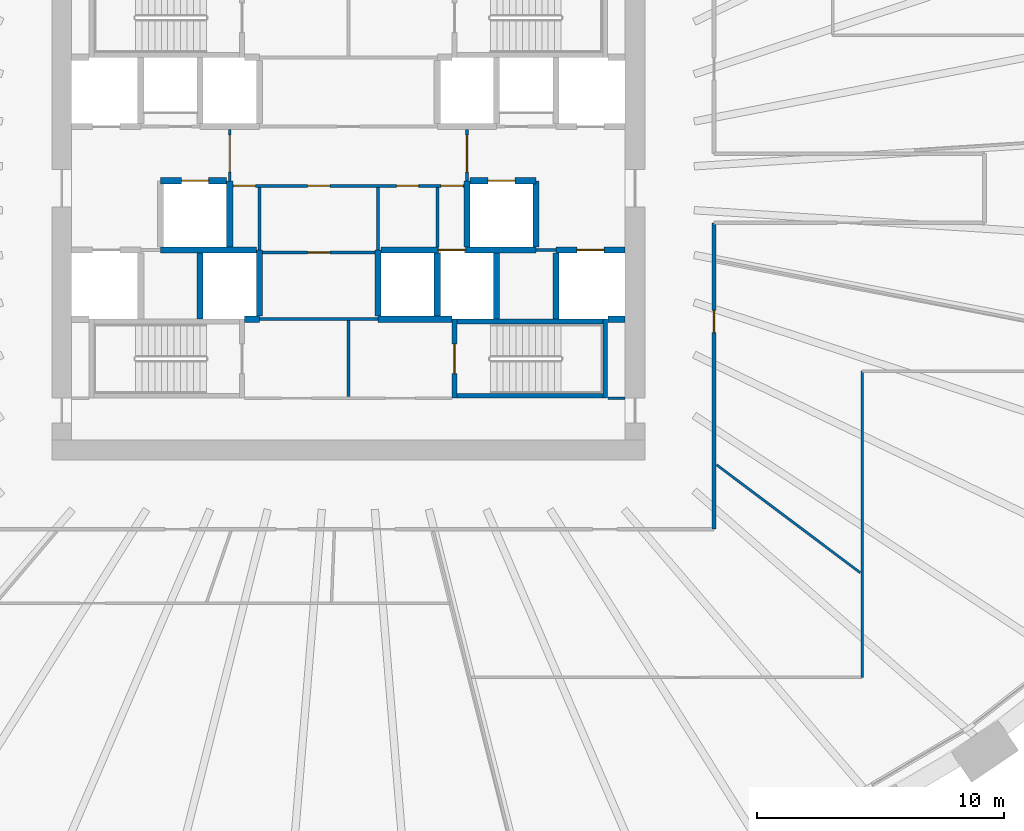
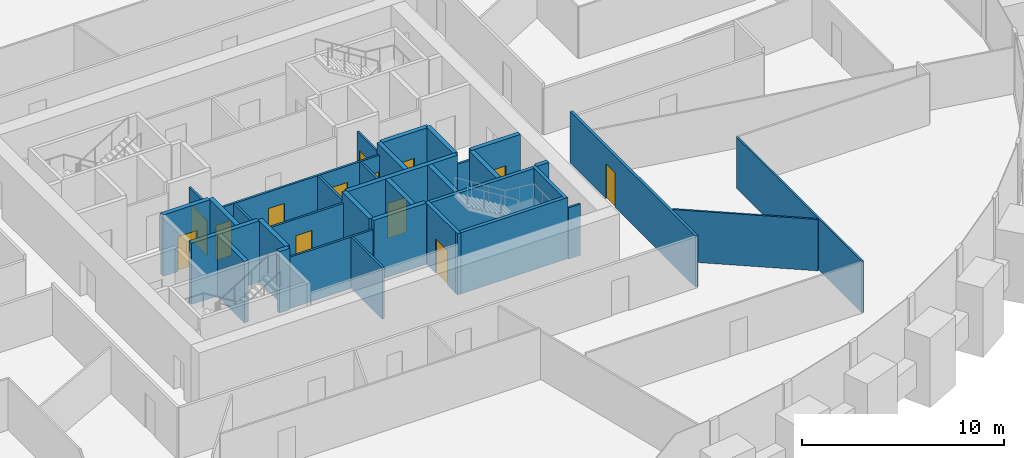
# One storey, part 7 of 11: 35 walls, 13 doors, 13 openings.
"""IFC4 building model written with IfcOpenShell, lengths in metres."""

from ifc_helpers import new_model, si_unit, direction, frame, frame_2d, origin, place, context, subcontext, project, spatial, rectangle, extrude, source, transform, mapped, material, layer, layer_set, type_object, element, fill, save


model = new_model("IFC4")

# Units and contexts
model_context = context("Model", 3, precision=1e-05, world=origin(), true_north=direction((0.0, 1.0)))
body_context = subcontext(model_context, "Body", "Model", "MODEL_VIEW")
ifc_project = project(units=[si_unit("LENGTHUNIT", "METRE"), si_unit("AREAUNIT", "SQUARE_METRE"), si_unit("VOLUMEUNIT", "CUBIC_METRE"), si_unit("PLANEANGLEUNIT", "RADIAN"), si_unit("MASSUNIT", "GRAM", prefix="KILO")], contexts=[model_context])

# Site, building, storey
site_placement = place(None, origin())
site = spatial("IfcSite", under=ifc_project, at=site_placement, CompositionType="ELEMENT")
building_placement = place(site_placement, origin())
building = spatial("IfcBuilding", under=site, at=building_placement, Name="Embergate Tower", CompositionType="ELEMENT")
storey_placement = place(building_placement, frame((0.0, 0.0, 132.0)))
storey = spatial("IfcBuildingStorey", under=building, at=storey_placement, Name="L28", CompositionType="ELEMENT", Elevation=132.0)

# Walls
ifc_material_1 = material(Name="Concrete C50", Category="concrete")
ifc_layer_1 = layer(ifc_material_1, 0.25)
ifc_layer_set_1 = layer_set([ifc_layer_1], Name="Concrete C50")
wall_type_1 = type_object("IfcWallType", Name="Hoistway wall reinforced concrete 250", PredefinedType="SHEAR", material=ifc_layer_set_1)
shared_shape_1 = source(origin(), body_context, "Body", "SweptSolid", [
    extrude(rectangle(XDim=2.675048828125, YDim=0.25, at=frame_2d((1.33740234375, 0.0))), origin(), (0.0, 0.0, 1.0), 3.699951171875),
])
for number, where, z_axis, x_axis, name in (
    (1, (-3.60009765625, -5.175048828125, 0.0), (0.0, 0.0, 1.0), (0.0, 1.0, 0.0), "HW-1 wall"),
    (2, (1.199951171875, -2.5, 0.0), (0.0, 0.0, 1.0), (0.0, -1.0, 0.0), "HW-1 wall"),
    (3, (-4.800048828125, 0.300048828125, 0.0), (0.0, 0.0, 1.0), (0.0, -1.0, 0.0), "HW-1 wall"),
    (4, (4.800048828125, -2.375, 0.0), (0.0, 0.0, 1.0), (0.0, 1.0, 0.0), "HW-1 wall"),
):
    element("IfcWall", number, at=place(storey_placement, frame(where, z_axis=z_axis, x_axis=x_axis)), inside=storey, type_object=wall_type_1, Name=name, PredefinedType="SHEAR", context=body_context, shape_type="MappedRepresentation", body=[
        mapped(shared_shape_1, transform((0.0, 0.0, 0.0))),
    ])

# Wall, opening, door
wall_1_placement = place(storey_placement, frame((-4.925048828125, 0.300048828125, 0.0), z_axis=(0.0, 0.0, 1.0), x_axis=(-1.0, 0.0, 0.0)))
wall_1 = element("IfcWall", 5, at=wall_1_placement, inside=storey, type_object=wall_type_1, Name="HW-1 wall", PredefinedType="SHEAR", context=body_context, shape_type="MappedRepresentation", body=[
    mapped(shared_shape_1, transform((0.0, 0.0, 0.0))),
])
shared_shape_2 = source(origin(), body_context, "Body", "SweptSolid", [
    extrude(rectangle(XDim=1.10009765625, YDim=2.10009765625, at=frame_2d((0.550048828125, 1.050048828125))), frame((0.0, 0.135009765625, 0.0), z_axis=(0.0, -1.0, 0.0), x_axis=(1.0, 0.0, 0.0)), (0.0, 0.0, 1.0), 0.27001953125),
])
opening_1_placement = place(wall_1_placement, frame((0.72509765625, 0.0, 0.0)))
opening_1 = element("IfcOpeningElement", 6, at=opening_1_placement, cuts=wall_1, Name="Opening LD", PredefinedType="OPENING", context=body_context, shape_type="MappedRepresentation", body=[
    mapped(shared_shape_2, transform((0.0, 0.0, 0.0))),
])
ifc_material_2 = material(Name="Landing door sliding 1100")
door_type_1 = type_object("IfcDoorType", Name="Landing door sliding 1100", OperationType="SLIDING_TO_LEFT", PredefinedType="DOOR", material=ifc_material_2)
shared_shape_3 = source(origin(), body_context, "Body", "SweptSolid", [
    extrude(rectangle(XDim=1.10009765625, YDim=2.10009765625, at=frame_2d((0.550048828125, 1.050048828125))), frame((0.0, 0.02490234375, 0.0), z_axis=(0.0, -1.0, 0.0), x_axis=(1.0, 0.0, 0.0)), (0.0, 0.0, 1.0), 0.050048828125),
])
door_1_placement = place(opening_1_placement, origin())
door_1 = element("IfcDoor", 7, at=door_1_placement, inside=storey, type_object=door_type_1, Name="LD door", OperationType="SLIDING_TO_LEFT", OverallHeight=2.10009765625, OverallWidth=1.10009765625, PredefinedType="DOOR", context=body_context, shape_type="MappedRepresentation", body=[
    mapped(shared_shape_3, transform((0.0, 0.0, 0.0))),
])
fill(opening_1, door_1)

wall_2_placement = place(storey_placement, frame((7.60009765625, 0.300048828125, 0.0), z_axis=(0.0, 0.0, 1.0), x_axis=(-1.0, 0.0, 0.0)))
wall_2 = element("IfcWall", 8, at=wall_2_placement, inside=storey, type_object=wall_type_1, Name="HW-1 wall", PredefinedType="SHEAR", context=body_context, shape_type="MappedRepresentation", body=[
    mapped(shared_shape_1, transform((0.0, 0.0, 0.0))),
])
opening_2_placement = place(wall_2_placement, frame((0.85009765625, 0.0, 0.0)))
opening_2 = element("IfcOpeningElement", 9, at=opening_2_placement, cuts=wall_2, Name="Opening LD", PredefinedType="OPENING", context=body_context, shape_type="MappedRepresentation", body=[
    mapped(shared_shape_2, transform((0.0, 0.0, 0.0))),
])
door_2_placement = place(opening_2_placement, origin())
door_2 = element("IfcDoor", 10, at=door_2_placement, inside=storey, type_object=door_type_1, Name="LD door", OperationType="SLIDING_TO_LEFT", OverallHeight=2.10009765625, OverallWidth=1.10009765625, PredefinedType="DOOR", context=body_context, shape_type="MappedRepresentation", body=[
    mapped(shared_shape_3, transform((0.0, 0.0, 0.0))),
])
fill(opening_2, door_2)

# Walls
wall_3_placement = place(storey_placement, frame((7.60009765625, -2.375, 0.0), z_axis=(0.0, 0.0, 1.0), x_axis=(0.0, 1.0, 0.0)))
element("IfcWall", 11, at=wall_3_placement, inside=storey, type_object=wall_type_1, Name="HW-1 wall", PredefinedType="SHEAR", context=body_context, shape_type="MappedRepresentation", body=[
    mapped(shared_shape_1, transform((0.0, 0.0, 0.0))),
])
ifc_layer_2 = layer(ifc_material_1, 0.199951171875)
ifc_layer_set_2 = layer_set([ifc_layer_2], Name="Concrete C50")
wall_type_2 = type_object("IfcWallType", Name="Stair enclosure wall reinforced concrete 250", PredefinedType="SHEAR", material=ifc_layer_set_2)
shared_shape_4 = source(origin(), body_context, "Body", "SweptSolid", [
    extrude(rectangle(XDim=6.300048828125, YDim=0.199951171875, at=frame_2d((3.14990234375, 0.0))), origin(), (0.0, 0.0, 1.0), 3.699951171875),
])
for number, where, z_axis, x_axis, name in (
    (12, (4.199951171875, -5.39990234375, 0.0), (0.0, 0.0, 1.0), (1.0, 0.0, 0.0), "SE-1 wall"),
    (13, (4.199951171875, -8.39990234375, 0.0), (0.0, 0.0, 1.0), (1.0, 0.0, 0.0), "SE-1 wall"),
):
    element("IfcWall", number, at=place(storey_placement, frame(where, z_axis=z_axis, x_axis=x_axis)), inside=storey, type_object=wall_type_2, Name=name, PredefinedType="SHEAR", context=body_context, shape_type="MappedRepresentation", body=[
        mapped(shared_shape_4, transform((0.0, 0.0, 0.0))),
    ])
shared_shape_5 = source(origin(), body_context, "Body", "SweptSolid", [
    extrude(rectangle(XDim=2.550048828125, YDim=0.25, at=frame_2d((1.27490234375, 0.0))), origin(), (0.0, 0.0, 1.0), 3.699951171875),
])
wall_4_placement = place(storey_placement, frame((3.60009765625, -5.175048828125, 0.0), z_axis=(0.0, 0.0, 1.0), x_axis=(0.0, 1.0, 0.0)))
element("IfcWall", 14, at=wall_4_placement, inside=storey, type_object=wall_type_1, Name="HW-1 wall", PredefinedType="SHEAR", context=body_context, shape_type="MappedRepresentation", body=[
    mapped(shared_shape_5, transform((0.0, 0.0, 0.0))),
])

# Wall, opening, door
ifc_material_3 = material(Name="Core partition blockwork 120")
ifc_layer_3 = layer(ifc_material_3, 0.1201171875)
ifc_layer_set_3 = layer_set([ifc_layer_3], Name="Core partition blockwork 120")
wall_type_3 = type_object("IfcWallType", Name="Core partition blockwork 120", PredefinedType="PARTITIONING", material=ifc_layer_set_3)
shared_shape_6 = source(origin(), body_context, "Body", "SweptSolid", [
    extrude(rectangle(XDim=2.074951171875, YDim=0.1201171875, at=frame_2d((1.03759765625, 0.0))), origin(), (0.0, 0.0, 1.0), 3.10009765625),
])
wall_5_placement = place(storey_placement, frame((-4.800048828125, 2.375, 0.0), z_axis=(0.0, 0.0, 1.0), x_axis=(0.0, -1.0, 0.0)))
wall_5 = element("IfcWall", 15, at=wall_5_placement, inside=storey, type_object=wall_type_3, Name="IP-3 wall", PredefinedType="PARTITIONING", context=body_context, shape_type="MappedRepresentation", body=[
    mapped(shared_shape_6, transform((0.0, 0.0, 0.0))),
])
shared_shape_7 = source(origin(), body_context, "Body", "SweptSolid", [
    extrude(rectangle(XDim=1.5, YDim=2.10009765625, at=frame_2d((0.75, 1.050048828125))), frame((0.0, 0.070068359375, 0.0), z_axis=(0.0, -1.0, 0.0), x_axis=(1.0, 0.0, 0.0)), (0.0, 0.0, 1.0), 0.14013671875),
])
opening_3_placement = place(wall_5_placement, frame((0.22509765625, 0.0, 0.0)))
opening_3 = element("IfcOpeningElement", 16, at=opening_3_placement, cuts=wall_5, Name="Opening IF-3", PredefinedType="OPENING", context=body_context, shape_type="MappedRepresentation", body=[
    mapped(shared_shape_7, transform((0.0, 0.0, 0.0))),
])
ifc_material_4 = material(Name="Lobby fire door pair 1500")
door_type_2 = type_object("IfcDoorType", Name="Lobby fire door pair 1500", OperationType="DOUBLE_DOOR_SINGLE_SWING", PredefinedType="DOOR", material=ifc_material_4)
shared_shape_8 = source(origin(), body_context, "Body", "SweptSolid", [
    extrude(rectangle(XDim=1.5, YDim=2.10009765625, at=frame_2d((0.75, 1.050048828125))), frame((0.0, 0.02490234375, 0.0), z_axis=(0.0, -1.0, 0.0), x_axis=(1.0, 0.0, 0.0)), (0.0, 0.0, 1.0), 0.050048828125),
])
door_3_placement = place(opening_3_placement, origin())
door_3 = element("IfcDoor", 17, at=door_3_placement, inside=storey, type_object=door_type_2, Name="IF-3 door", OperationType="DOUBLE_DOOR_SINGLE_SWING", OverallHeight=2.10009765625, OverallWidth=1.5, PredefinedType="DOOR", context=body_context, shape_type="MappedRepresentation", body=[
    mapped(shared_shape_8, transform((0.0, 0.0, 0.0))),
])
fill(opening_3, door_3)

wall_6_placement = place(storey_placement, frame((4.800048828125, 0.300048828125, 0.0), z_axis=(0.0, 0.0, 1.0), x_axis=(0.0, 1.0, 0.0)))
wall_6 = element("IfcWall", 18, at=wall_6_placement, inside=storey, type_object=wall_type_3, Name="IP-3 wall", PredefinedType="PARTITIONING", context=body_context, shape_type="MappedRepresentation", body=[
    mapped(shared_shape_6, transform((0.0, 0.0, 0.0))),
])
opening_4_placement = place(wall_6_placement, frame((0.35009765625, 0.0, 0.0)))
opening_4 = element("IfcOpeningElement", 19, at=opening_4_placement, cuts=wall_6, Name="Opening IF-3", PredefinedType="OPENING", context=body_context, shape_type="MappedRepresentation", body=[
    mapped(shared_shape_7, transform((0.0, 0.0, 0.0))),
])
door_4_placement = place(opening_4_placement, origin())
door_4 = element("IfcDoor", 20, at=door_4_placement, inside=storey, type_object=door_type_2, Name="IF-3 door", OperationType="DOUBLE_DOOR_SINGLE_SWING", OverallHeight=2.10009765625, OverallWidth=1.5, PredefinedType="DOOR", context=body_context, shape_type="MappedRepresentation", body=[
    mapped(shared_shape_8, transform((0.0, 0.0, 0.0))),
])
fill(opening_4, door_4)

shared_shape_9 = source(origin(), body_context, "Body", "SweptSolid", [
    extrude(rectangle(XDim=3.199951171875, YDim=0.199951171875, at=frame_2d((1.60009765625, 0.0))), origin(), (0.0, 0.0, 1.0), 3.699951171875),
])
wall_7_placement = place(storey_placement, frame((4.300048828125, -5.300048828125, 0.0), z_axis=(0.0, 0.0, 1.0), x_axis=(0.0, -1.0, 0.0)))
wall_7 = element("IfcWall", 21, at=wall_7_placement, inside=storey, type_object=wall_type_2, Name="SE-1 wall", PredefinedType="SHEAR", context=body_context, shape_type="MappedRepresentation", body=[
    mapped(shared_shape_9, transform((0.0, 0.0, 0.0))),
])
shared_shape_10 = source(origin(), body_context, "Body", "SweptSolid", [
    extrude(rectangle(XDim=1.199951171875, YDim=2.10009765625, at=frame_2d((0.60009765625, 1.050048828125))), frame((0.0, 0.10986328125, 0.0), z_axis=(0.0, -1.0, 0.0), x_axis=(1.0, 0.0, 0.0)), (0.0, 0.0, 1.0), 0.219970703125),
])
opening_5_placement = place(wall_7_placement, frame((1.0, 0.0, 0.0)))
opening_5 = element("IfcOpeningElement", 22, at=opening_5_placement, cuts=wall_7, Name="Opening IF-2", PredefinedType="OPENING", context=body_context, shape_type="MappedRepresentation", body=[
    mapped(shared_shape_10, transform((0.0, 0.0, 0.0))),
])
ifc_material_5 = material(Name="Stair enclosure door 1200")
door_type_3 = type_object("IfcDoorType", Name="Stair enclosure door 1200", OperationType="SINGLE_SWING_LEFT", PredefinedType="DOOR", material=ifc_material_5)
shared_shape_11 = source(origin(), body_context, "Body", "SweptSolid", [
    extrude(rectangle(XDim=1.199951171875, YDim=2.10009765625, at=frame_2d((0.60009765625, 1.050048828125))), frame((0.0, 0.02490234375, 0.0), z_axis=(0.0, -1.0, 0.0), x_axis=(1.0, 0.0, 0.0)), (0.0, 0.0, 1.0), 0.050048828125),
])
door_5_placement = place(opening_5_placement, origin())
door_5 = element("IfcDoor", 23, at=door_5_placement, inside=storey, type_object=door_type_3, Name="IF-2 door", OperationType="SINGLE_SWING_RIGHT", OverallHeight=2.10009765625, OverallWidth=1.199951171875, PredefinedType="DOOR", context=body_context, shape_type="MappedRepresentation", body=[
    mapped(shared_shape_11, transform((0.0, 0.0, 0.0))),
])
fill(opening_5, door_5)

ifc_material_6 = material(Name="Corridor wall dry-lined 150")
ifc_layer_4 = layer(ifc_material_6, 0.14990234375)
ifc_layer_set_4 = layer_set([ifc_layer_4], Name="Corridor wall dry-lined 150")
wall_type_4 = type_object("IfcWallType", Name="Corridor wall dry-lined 150", PredefinedType="PARTITIONING", material=ifc_layer_set_4)
shared_shape_12 = source(origin(), body_context, "Body", "SweptSolid", [
    extrude(rectangle(XDim=12.400146484375, YDim=0.14990234375, at=frame_2d((6.2001953125, 0.0))), origin(), (0.0, 0.0, 1.0), 3.10009765625),
])
wall_8_placement = place(storey_placement, frame((14.800048828125, -1.39990234375, 0.0), z_axis=(0.0, 0.0, 1.0), x_axis=(0.0, -1.0, 0.0)))
wall_8 = element("IfcWall", 24, at=wall_8_placement, inside=storey, type_object=wall_type_4, Name="IP-2 wall", PredefinedType="PARTITIONING", context=body_context, shape_type="MappedRepresentation", body=[
    mapped(shared_shape_12, transform((0.0, 0.0, 0.0))),
])
shared_shape_13 = source(origin(), body_context, "Body", "SweptSolid", [
    extrude(rectangle(XDim=0.89990234375, YDim=2.10009765625, at=frame_2d((0.449951171875, 1.050048828125))), frame((0.0, 0.0849609375, 0.0), z_axis=(0.0, -1.0, 0.0), x_axis=(1.0, 0.0, 0.0)), (0.0, 0.0, 1.0), 0.169921875),
])
opening_6_placement = place(wall_8_placement, frame((3.5400390625, 0.0, 0.0)))
opening_6 = element("IfcOpeningElement", 25, at=opening_6_placement, cuts=wall_8, Name="Opening IF-1c", PredefinedType="OPENING", context=body_context, shape_type="MappedRepresentation", body=[
    mapped(shared_shape_13, transform((0.0, 0.0, 0.0))),
])
ifc_material_7 = material(Name="Escape fire door 900")
door_type_4 = type_object("IfcDoorType", Name="Escape fire door 900", OperationType="SINGLE_SWING_LEFT", PredefinedType="DOOR", material=ifc_material_7)
shared_shape_14 = source(origin(), body_context, "Body", "SweptSolid", [
    extrude(rectangle(XDim=0.89990234375, YDim=2.10009765625, at=frame_2d((0.449951171875, 1.050048828125))), frame((0.0, 0.02490234375, 0.0), z_axis=(0.0, -1.0, 0.0), x_axis=(1.0, 0.0, 0.0)), (0.0, 0.0, 1.0), 0.050048828125),
])
door_6_placement = place(opening_6_placement, origin())
door_6 = element("IfcDoor", 26, at=door_6_placement, inside=storey, type_object=door_type_4, Name="IF-1 door", OperationType="SINGLE_SWING_LEFT", OverallHeight=2.10009765625, OverallWidth=0.89990234375, PredefinedType="DOOR", context=body_context, shape_type="MappedRepresentation", body=[
    mapped(shared_shape_14, transform((0.0, 0.0, 0.0))),
])
fill(opening_6, door_6)

# Walls
ifc_material_8 = material(Name="Partition dry-lined 100")
ifc_layer_5 = layer(ifc_material_8, 0.10009765625)
ifc_layer_set_5 = layer_set([ifc_layer_5], Name="Partition dry-lined 100")
wall_type_5 = type_object("IfcWallType", Name="Partition dry-lined 100", PredefinedType="PARTITIONING", material=ifc_layer_set_5)
shared_shape_15 = source(origin(), body_context, "Body", "SweptSolid", [
    extrude(rectangle(XDim=7.272216796875, YDim=0.10009765625, at=frame_2d((3.63623046875, 0.0))), origin(), (0.0, 0.0, 1.0), 3.10009765625),
])
wall_9_placement = place(storey_placement, frame((14.905029296875, -11.194091796875, 0.0), z_axis=(0.0, 0.0, 1.0), x_axis=(0.799621146957, -0.600504805425, 0.0)))
element("IfcWall", 27, at=wall_9_placement, inside=storey, type_object=wall_type_5, Name="IP-1 wall", PredefinedType="PARTITIONING", context=body_context, shape_type="MappedRepresentation", body=[
    mapped(shared_shape_15, transform((0.0, 0.0, 0.0))),
])
shared_shape_16 = source(origin(), body_context, "Body", "SweptSolid", [
    extrude(rectangle(XDim=12.400146484375, YDim=0.10009765625, at=frame_2d((6.2001953125, 0.0))), origin(), (0.0, 0.0, 1.0), 3.10009765625),
])
wall_10_placement = place(storey_placement, frame((20.800048828125, -19.800048828125, 0.0), z_axis=(0.0, 0.0, 1.0), x_axis=(0.0, 1.0, 0.0)))
element("IfcWall", 28, at=wall_10_placement, inside=storey, type_object=wall_type_5, Name="IP-1 wall", PredefinedType="PARTITIONING", context=body_context, shape_type="MappedRepresentation", body=[
    mapped(shared_shape_16, transform((0.0, 0.0, 0.0))),
])

# Wall, opening, door
shared_shape_17 = source(origin(), body_context, "Body", "SweptSolid", [
    extrude(rectangle(XDim=2.800048828125, YDim=0.25, at=frame_2d((1.39990234375, 0.0))), origin(), (0.0, 0.0, 1.0), 3.699951171875),
])
wall_11_placement = place(storey_placement, frame((11.199951171875, -2.5, 0.0), z_axis=(0.0, 0.0, 1.0), x_axis=(-1.0, 0.0, 0.0)))
wall_11 = element("IfcWall", 29, at=wall_11_placement, inside=storey, type_object=wall_type_1, Name="HW-1 wall", PredefinedType="SHEAR", context=body_context, shape_type="MappedRepresentation", body=[
    mapped(shared_shape_17, transform((0.0, 0.0, 0.0))),
])
opening_7_placement = place(wall_11_placement, frame((0.85009765625, 0.0, 0.0)))
opening_7 = element("IfcOpeningElement", 30, at=opening_7_placement, cuts=wall_11, Name="Opening LD", PredefinedType="OPENING", context=body_context, shape_type="MappedRepresentation", body=[
    mapped(shared_shape_2, transform((0.0, 0.0, 0.0))),
])
door_7_placement = place(opening_7_placement, origin())
door_7 = element("IfcDoor", 31, at=door_7_placement, inside=storey, type_object=door_type_1, Name="LD door", OperationType="SLIDING_TO_LEFT", OverallHeight=2.10009765625, OverallWidth=1.10009765625, PredefinedType="DOOR", context=body_context, shape_type="MappedRepresentation", body=[
    mapped(shared_shape_3, transform((0.0, 0.0, 0.0))),
])
fill(opening_7, door_7)

# Walls
shared_shape_18 = source(origin(), body_context, "Body", "SweptSolid", [
    extrude(rectangle(XDim=0.599853515625, YDim=0.25, at=frame_2d((0.2998046875, 0.0))), origin(), (0.0, 0.0, 1.0), 3.699951171875),
])
wall_12_placement = place(storey_placement, frame((-4.199951171875, -5.300048828125, 0.0), z_axis=(0.0, 0.0, 1.0), x_axis=(1.0, 0.0, 0.0)))
element("IfcWall", 32, at=wall_12_placement, inside=storey, type_object=wall_type_1, Name="HW-1 wall", PredefinedType="SHEAR", context=body_context, shape_type="MappedRepresentation", body=[
    mapped(shared_shape_18, transform((0.0, 0.0, 0.0))),
])
shared_shape_19 = source(origin(), body_context, "Body", "SweptSolid", [
    extrude(rectangle(XDim=3.872802734375, YDim=0.25, at=frame_2d((1.9365234375, 0.0))), origin(), (0.0, 0.0, 1.0), 3.699951171875),
])
wall_13_placement = place(storey_placement, frame((-3.72509765625, -2.5, 0.0), z_axis=(0.0, 0.0, 1.0), x_axis=(-1.0, 0.0, 0.0)))
element("IfcWall", 33, at=wall_13_placement, inside=storey, type_object=wall_type_1, Name="HW-1 wall", PredefinedType="SHEAR", context=body_context, shape_type="MappedRepresentation", body=[
    mapped(shared_shape_19, transform((0.0, 0.0, 0.0))),
])

# Wall, opening, door
shared_shape_20 = source(origin(), body_context, "Body", "SweptSolid", [
    extrude(rectangle(XDim=6.27294921875, YDim=0.25, at=frame_2d((3.136474609375, 0.0))), origin(), (0.0, 0.0, 1.0), 3.699951171875),
])
wall_14_placement = place(storey_placement, frame((7.597900390625, -2.5, 0.0), z_axis=(0.0, 0.0, 1.0), x_axis=(-1.0, 0.0, 0.0)))
wall_14 = element("IfcWall", 34, at=wall_14_placement, inside=storey, type_object=wall_type_1, Name="HW-1 wall", PredefinedType="SHEAR", context=body_context, shape_type="MappedRepresentation", body=[
    mapped(shared_shape_20, transform((0.0, 0.0, 0.0))),
])
opening_8_placement = place(wall_14_placement, frame((2.847900390625, 0.0, 0.0)))
opening_8 = element("IfcOpeningElement", 35, at=opening_8_placement, cuts=wall_14, Name="Opening LD", PredefinedType="OPENING", context=body_context, shape_type="MappedRepresentation", body=[
    mapped(shared_shape_2, transform((0.0, 0.0, 0.0))),
])
door_8_placement = place(opening_8_placement, origin())
door_8 = element("IfcDoor", 36, at=door_8_placement, inside=storey, type_object=door_type_1, Name="LD door", OperationType="SLIDING_TO_LEFT", OverallHeight=2.10009765625, OverallWidth=1.10009765625, PredefinedType="DOOR", context=body_context, shape_type="MappedRepresentation", body=[
    mapped(shared_shape_3, transform((0.0, 0.0, 0.0))),
])
fill(opening_8, door_8)

# Wall
shared_shape_21 = source(origin(), body_context, "Body", "SweptSolid", [
    extrude(rectangle(XDim=3.0, YDim=0.25, at=frame_2d((1.5, 0.0))), origin(), (0.0, 0.0, 1.0), 3.699951171875),
])
wall_15_placement = place(storey_placement, frame((1.199951171875, -5.300048828125, 0.0), z_axis=(0.0, 0.0, 1.0), x_axis=(1.0, 0.0, 0.0)))
element("IfcWall", 37, at=wall_15_placement, inside=storey, type_object=wall_type_1, Name="HW-1 wall", PredefinedType="SHEAR", context=body_context, shape_type="MappedRepresentation", body=[
    mapped(shared_shape_21, transform((0.0, 0.0, 0.0))),
])

# Wall, openings, doors
shared_shape_22 = source(origin(), body_context, "Body", "SweptSolid", [
    extrude(rectangle(XDim=9.35009765625, YDim=0.1201171875, at=frame_2d((4.675048828125, 0.0))), origin(), (0.0, 0.0, 1.0), 3.10009765625),
])
wall_16_placement = place(storey_placement, frame((-4.675048828125, 0.10009765625, 0.0), z_axis=(0.0, 0.0, 1.0), x_axis=(1.0, 0.0, 0.0)))
wall_16 = element("IfcWall", 38, at=wall_16_placement, inside=storey, type_object=wall_type_3, Name="IP-3 wall", PredefinedType="PARTITIONING", context=body_context, shape_type="MappedRepresentation", body=[
    mapped(shared_shape_22, transform((0.0, 0.0, 0.0))),
])
shared_shape_23 = source(origin(), body_context, "Body", "SweptSolid", [
    extrude(rectangle(XDim=0.89990234375, YDim=2.10009765625, at=frame_2d((0.449951171875, 1.050048828125))), frame((0.0, 0.070068359375, 0.0), z_axis=(0.0, -1.0, 0.0), x_axis=(1.0, 0.0, 0.0)), (0.0, 0.0, 1.0), 0.14013671875),
])
opening_9_placement = place(wall_16_placement, frame((8.425048828125, 0.0, 0.0)))
opening_9 = element("IfcOpeningElement", 39, at=opening_9_placement, cuts=wall_16, Name="Opening IF-3c", PredefinedType="OPENING", context=body_context, shape_type="MappedRepresentation", body=[
    mapped(shared_shape_23, transform((0.0, 0.0, 0.0))),
])
opening_10_placement = place(wall_16_placement, frame((0.02490234375, 0.0, 0.0)))
opening_10 = element("IfcOpeningElement", 40, at=opening_10_placement, cuts=wall_16, Name="Opening ID-1", PredefinedType="OPENING", context=body_context, shape_type="MappedRepresentation", body=[
    mapped(shared_shape_23, transform((0.0, 0.0, 0.0))),
])
opening_11_placement = place(wall_16_placement, frame((6.625, 0.0, 0.0)))
opening_11 = element("IfcOpeningElement", 41, at=opening_11_placement, cuts=wall_16, Name="Opening ID-1", PredefinedType="OPENING", context=body_context, shape_type="MappedRepresentation", body=[
    mapped(shared_shape_23, transform((0.0, 0.0, 0.0))),
])
opening_12_placement = place(wall_16_placement, frame((3.02490234375, 0.0, 0.0)))
opening_12 = element("IfcOpeningElement", 42, at=opening_12_placement, cuts=wall_16, Name="Opening ID-1", PredefinedType="OPENING", context=body_context, shape_type="MappedRepresentation", body=[
    mapped(shared_shape_23, transform((0.0, 0.0, 0.0))),
])
ifc_material_9 = material(Name="Lobby fire door pair 900")
door_type_5 = type_object("IfcDoorType", Name="Lobby fire door pair 900", OperationType="DOUBLE_DOOR_SINGLE_SWING", PredefinedType="DOOR", material=ifc_material_9)
door_9_placement = place(opening_9_placement, origin())
door_9 = element("IfcDoor", 43, at=door_9_placement, inside=storey, type_object=door_type_5, Name="IF-3 door", OperationType="DOUBLE_DOOR_SINGLE_SWING", OverallHeight=2.10009765625, OverallWidth=0.89990234375, PredefinedType="DOOR", context=body_context, shape_type="MappedRepresentation", body=[
    mapped(shared_shape_14, transform((0.0, 0.0, 0.0))),
])
fill(opening_9, door_9)
ifc_material_10 = material(Name="Interior door 900")
door_type_6 = type_object("IfcDoorType", Name="Interior door 900", OperationType="SINGLE_SWING_LEFT", PredefinedType="DOOR", material=ifc_material_10)
door_10_placement = place(opening_10_placement, origin())
door_10 = element("IfcDoor", 44, at=door_10_placement, inside=storey, type_object=door_type_6, Name="ID-1 door", OperationType="SINGLE_SWING_LEFT", OverallHeight=2.10009765625, OverallWidth=0.89990234375, PredefinedType="DOOR", context=body_context, shape_type="MappedRepresentation", body=[
    mapped(shared_shape_14, transform((0.0, 0.0, 0.0))),
])
fill(opening_10, door_10)
door_11_placement = place(opening_11_placement, origin())
door_11 = element("IfcDoor", 45, at=door_11_placement, inside=storey, type_object=door_type_6, Name="ID-1 door", OperationType="SINGLE_SWING_RIGHT", OverallHeight=2.10009765625, OverallWidth=0.89990234375, PredefinedType="DOOR", context=body_context, shape_type="MappedRepresentation", body=[
    mapped(shared_shape_14, transform((0.0, 0.0, 0.0))),
])
fill(opening_11, door_11)
door_12_placement = place(opening_12_placement, origin())
door_12 = element("IfcDoor", 46, at=door_12_placement, inside=storey, type_object=door_type_6, Name="ID-1 door", OperationType="SINGLE_SWING_RIGHT", OverallHeight=2.10009765625, OverallWidth=0.89990234375, PredefinedType="DOOR", context=body_context, shape_type="MappedRepresentation", body=[
    mapped(shared_shape_14, transform((0.0, 0.0, 0.0))),
])
fill(opening_12, door_12)

# Walls
shared_shape_24 = source(origin(), body_context, "Body", "SweptSolid", [
    extrude(rectangle(XDim=2.5400390625, YDim=0.1201171875, at=frame_2d((1.27001953125, 0.0))), origin(), (0.0, 0.0, 1.0), 3.10009765625),
])
for number, where, z_axis, x_axis, name in (
    (47, (-3.60009765625, -2.5, 0.0), (0.0, 0.0, 1.0), (0.0, 1.0, 0.0), "IP-3 wall"),
    (48, (1.199951171875, 0.0400390625, 0.0), (0.0, 0.0, 1.0), (0.0, -1.0, 0.0), "IP-3 wall"),
):
    element("IfcWall", number, at=place(storey_placement, frame(where, z_axis=z_axis, x_axis=x_axis)), inside=storey, type_object=wall_type_3, Name=name, PredefinedType="PARTITIONING", context=body_context, shape_type="MappedRepresentation", body=[
        mapped(shared_shape_24, transform((0.0, 0.0, 0.0))),
    ])
shared_shape_25 = source(origin(), body_context, "Body", "SweptSolid", [
    extrude(rectangle(XDim=2.4150390625, YDim=0.1201171875, at=frame_2d((1.20751953125, 0.0))), origin(), (0.0, 0.0, 1.0), 3.10009765625),
])
wall_17_placement = place(storey_placement, frame((3.60009765625, -2.375, 0.0), z_axis=(0.0, 0.0, 1.0), x_axis=(0.0, 1.0, 0.0)))
element("IfcWall", 49, at=wall_17_placement, inside=storey, type_object=wall_type_3, Name="IP-3 wall", PredefinedType="PARTITIONING", context=body_context, shape_type="MappedRepresentation", body=[
    mapped(shared_shape_25, transform((0.0, 0.0, 0.0))),
])
shared_shape_26 = source(origin(), body_context, "Body", "SweptSolid", [
    extrude(rectangle(XDim=3.079833984375, YDim=0.1201171875, at=frame_2d((1.5400390625, 0.0))), origin(), (0.0, 0.0, 1.0), 3.10009765625),
])
wall_18_placement = place(storey_placement, frame((0.0, -8.43994140625, 0.0), z_axis=(0.0, 0.0, 1.0), x_axis=(0.0, 1.0, 0.0)))
element("IfcWall", 50, at=wall_18_placement, inside=storey, type_object=wall_type_3, Name="IP-3 wall", PredefinedType="PARTITIONING", context=body_context, shape_type="MappedRepresentation", body=[
    mapped(shared_shape_26, transform((0.0, 0.0, 0.0))),
])
shared_shape_27 = source(origin(), body_context, "Body", "SweptSolid", [
    extrude(rectangle(XDim=4.800048828125, YDim=0.1201171875, at=frame_2d((2.39990234375, 0.0))), origin(), (0.0, 0.0, 1.0), 3.10009765625),
])
wall_19_placement = place(storey_placement, frame((1.199951171875, -5.300048828125, 0.0), z_axis=(0.0, 0.0, 1.0), x_axis=(-1.0, 0.0, 0.0)))
element("IfcWall", 51, at=wall_19_placement, inside=storey, type_object=wall_type_3, Name="IP-3 wall", PredefinedType="PARTITIONING", context=body_context, shape_type="MappedRepresentation", body=[
    mapped(shared_shape_27, transform((0.0, 0.0, 0.0))),
])

# Wall, opening, door
shared_shape_28 = source(origin(), body_context, "Body", "SweptSolid", [
    extrude(rectangle(XDim=4.550048828125, YDim=0.1201171875, at=frame_2d((2.27490234375, 0.0))), origin(), (0.0, 0.0, 1.0), 3.10009765625),
])
wall_20_placement = place(storey_placement, frame((1.074951171875, -2.60009765625, 0.0), z_axis=(0.0, 0.0, 1.0), x_axis=(-1.0, 0.0, 0.0)))
wall_20 = element("IfcWall", 52, at=wall_20_placement, inside=storey, type_object=wall_type_3, Name="IP-3 wall", PredefinedType="PARTITIONING", context=body_context, shape_type="MappedRepresentation", body=[
    mapped(shared_shape_28, transform((0.0, 0.0, 0.0))),
])
opening_13_placement = place(wall_20_placement, frame((1.824951171875, 0.0, 0.0)))
opening_13 = element("IfcOpeningElement", 53, at=opening_13_placement, cuts=wall_20, Name="Opening ID-1", PredefinedType="OPENING", context=body_context, shape_type="MappedRepresentation", body=[
    mapped(shared_shape_23, transform((0.0, 0.0, 0.0))),
])
door_13_placement = place(opening_13_placement, origin())
door_13 = element("IfcDoor", 54, at=door_13_placement, inside=storey, type_object=door_type_6, Name="ID-1 door", OperationType="SINGLE_SWING_RIGHT", OverallHeight=2.10009765625, OverallWidth=0.89990234375, PredefinedType="DOOR", context=body_context, shape_type="MappedRepresentation", body=[
    mapped(shared_shape_14, transform((0.0, 0.0, 0.0))),
])
fill(opening_13, door_13)

# Walls
shared_shape_29 = source(origin(), body_context, "Body", "SweptSolid", [
    extrude(rectangle(XDim=3.196044921875, YDim=0.199951171875, at=frame_2d((1.59814453125, 0.0))), origin(), (0.0, 0.0, 1.0), 3.699951171875),
])
wall_21_placement = place(storey_placement, frame((10.39990234375, -8.498046875, 0.0), z_axis=(0.0, 0.0, 1.0), x_axis=(0.0, 1.0, 0.0)))
element("IfcWall", 55, at=wall_21_placement, inside=storey, type_object=wall_type_2, Name="SE-1 wall", PredefinedType="SHEAR", context=body_context, shape_type="MappedRepresentation", body=[
    mapped(shared_shape_29, transform((0.0, 0.0, 0.0))),
])
shared_shape_30 = source(origin(), body_context, "Body", "SweptSolid", [
    extrude(rectangle(XDim=0.697998046875, YDim=0.25, at=frame_2d((0.34912109375, 0.0))), origin(), (0.0, 0.0, 1.0), 3.699951171875),
])
wall_22_placement = place(storey_placement, frame((10.501953125, -5.300048828125, 0.0), z_axis=(0.0, 0.0, 1.0), x_axis=(1.0, 0.0, 0.0)))
element("IfcWall", 56, at=wall_22_placement, inside=storey, type_object=wall_type_1, Name="HW-1 wall", PredefinedType="SHEAR", context=body_context, shape_type="MappedRepresentation", body=[
    mapped(shared_shape_30, transform((0.0, 0.0, 0.0))),
])
shared_shape_31 = source(origin(), body_context, "Body", "SweptSolid", [
    extrude(rectangle(XDim=2.671142578125, YDim=0.25, at=frame_2d((1.33544921875, 0.0))), origin(), (0.0, 0.0, 1.0), 3.699951171875),
])
for number, where, z_axis, x_axis, name in (
    (57, (-6.0, -2.626953125, 0.0), (0.0, 0.0, 1.0), (0.0, -1.0, 0.0), "HW-1 wall"),
    (58, (6.0, -5.298095703125, 0.0), (0.0, 0.0, 1.0), (0.0, 1.0, 0.0), "HW-1 wall"),
    (59, (8.39990234375, -2.626953125, 0.0), (0.0, 0.0, 1.0), (0.0, -1.0, 0.0), "HW-1 wall"),
):
    element("IfcWall", number, at=place(storey_placement, frame(where, z_axis=z_axis, x_axis=x_axis)), inside=storey, type_object=wall_type_1, Name=name, PredefinedType="SHEAR", context=body_context, shape_type="MappedRepresentation", body=[
        mapped(shared_shape_31, transform((0.0, 0.0, 0.0))),
    ])
shared_shape_32 = source(origin(), body_context, "Body", "SweptSolid", [
    extrude(rectangle(XDim=0.7958984375, YDim=0.1201171875, at=frame_2d((0.39794921875, 0.0))), origin(), (0.0, 0.0, 1.0), 3.10009765625),
])
wall_23_placement = place(storey_placement, frame((7.60205078125, -2.5, 0.0), z_axis=(0.0, 0.0, 1.0), x_axis=(1.0, 0.0, 0.0)))
element("IfcWall", 60, at=wall_23_placement, inside=storey, type_object=wall_type_3, Name="IP-3 wall", PredefinedType="PARTITIONING", context=body_context, shape_type="MappedRepresentation", body=[
    mapped(shared_shape_32, transform((0.0, 0.0, 0.0))),
])
shared_shape_33 = source(origin(), body_context, "Body", "SweptSolid", [
    extrude(rectangle(XDim=0.697998046875, YDim=0.1201171875, at=frame_2d((0.34912109375, 0.0))), origin(), (0.0, 0.0, 1.0), 3.10009765625),
])
wall_24_placement = place(storey_placement, frame((11.199951171875, -8.5, 0.0), z_axis=(0.0, 0.0, 1.0), x_axis=(-1.0, 0.0, 0.0)))
element("IfcWall", 61, at=wall_24_placement, inside=storey, type_object=wall_type_3, Name="IP-3 wall", PredefinedType="PARTITIONING", context=body_context, shape_type="MappedRepresentation", body=[
    mapped(shared_shape_33, transform((0.0, 0.0, 0.0))),
])

save(model, "model.ifc")
